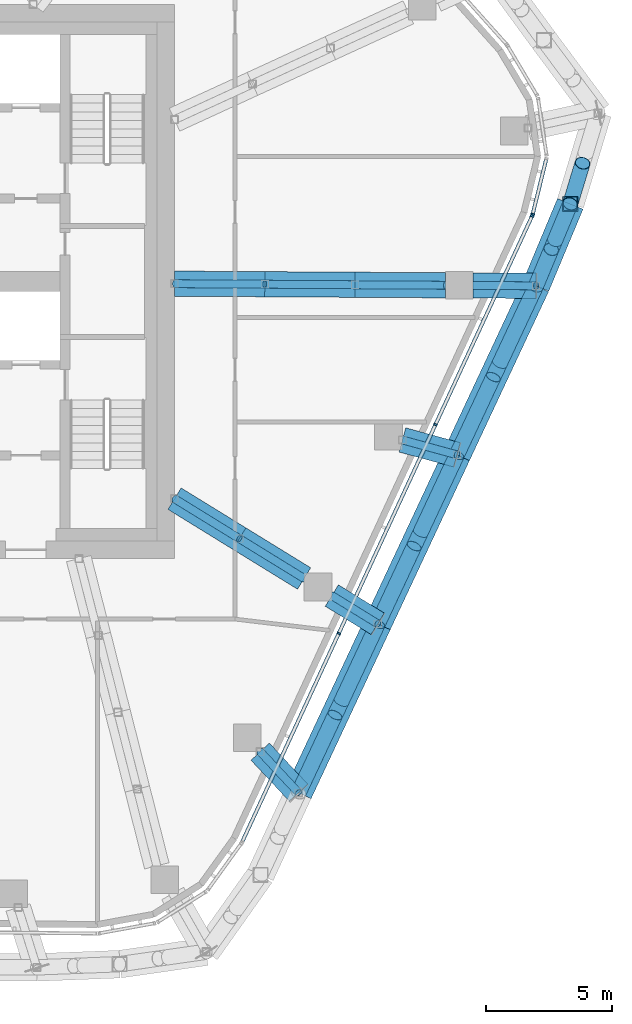
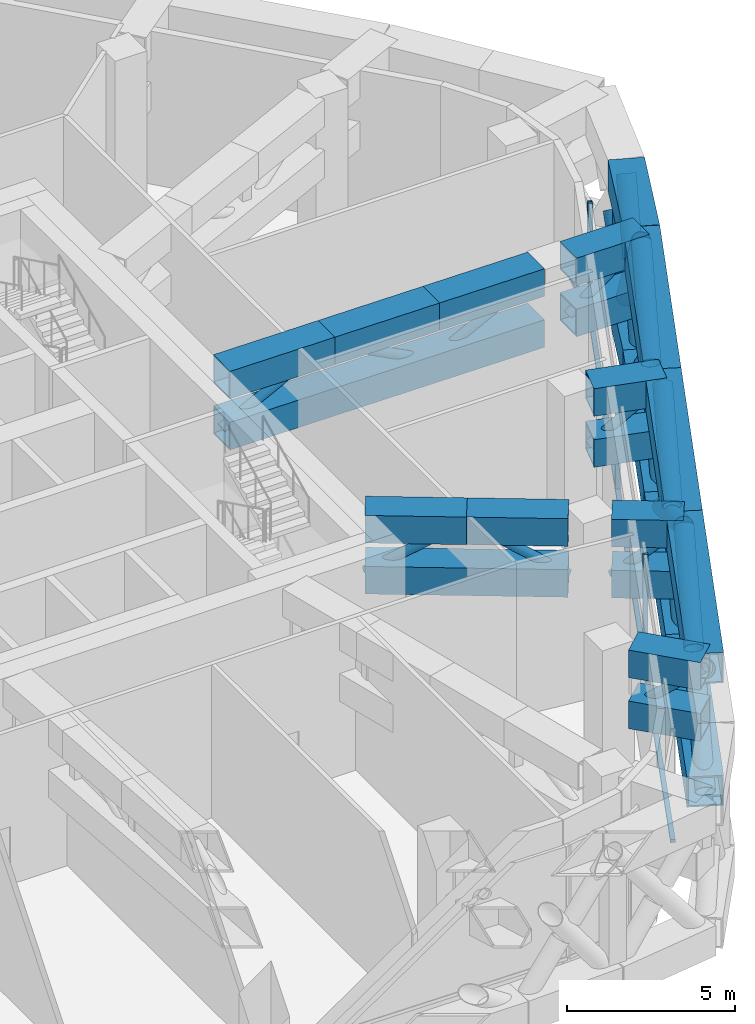
# One storey, part 5 of 31: 52 members, 2 elements without a shape of their own.
"""IFC4 building model written with IfcOpenShell, lengths in metres."""

from ifc_helpers import new_model, si_unit, direction, frame, origin, origin_2d, place, context, subcontext, project, spatial, rectangle, hollow_rectangle, hollow_circle, extrude, material, layer, layer_set, material_profile, profile_set, type_object, element, aggregate, save


model = new_model("IFC4")

# Units and contexts
model_context = context("Model", 3, precision=1e-05, world=origin(), true_north=direction((0.0, 1.0)))
body_context = subcontext(model_context, "Body", "Model", "MODEL_VIEW")
ifc_project = project(units=[si_unit("LENGTHUNIT", "METRE"), si_unit("AREAUNIT", "SQUARE_METRE"), si_unit("VOLUMEUNIT", "CUBIC_METRE"), si_unit("PLANEANGLEUNIT", "RADIAN"), si_unit("MASSUNIT", "GRAM", prefix="KILO")], contexts=[model_context])

# Site, building, storey
site_placement = place(None, origin())
site = spatial("IfcSite", under=ifc_project, at=site_placement, CompositionType="ELEMENT")
building_placement = place(site_placement, origin())
building = spatial("IfcBuilding", under=site, at=building_placement, Name="Dongbaek Canopy Tower", CompositionType="ELEMENT")
storey_placement = place(building_placement, frame((0.0, 0.0, 283.199951171875)))
storey = spatial("IfcBuildingStorey", under=building, at=storey_placement, Name="L60", CompositionType="ELEMENT", Elevation=283.199951171875)

# Members
ifc_material_1 = material(Name="Steel S355", Category="steel")
ifc_material_profile_1 = material_profile(ifc_material_1, hollow_circle(Radius=0.304931640625, WallThickness=0.01611328125, at=origin_2d()), Name="BELT BRACE CHS 610.0x16.0 Steel S355")
ifc_profile_set_1 = profile_set([ifc_material_profile_1], Name="Steel S355")
member_type_1 = type_object("IfcMemberType", Name="BELT BRACE CHS 610.0x16.0 Steel S355", PredefinedType="BRACE", material=ifc_profile_set_1)
member_1_placement = place(storey_placement, frame((28.35107421875, -0.17041015625, 0.550048828125), z_axis=(-0.363482290372, -0.776323582786, 0.514977979526), x_axis=(0.905646870558, -0.424032717899, 0.0)))
element("IfcMember", 1, at=member_1_placement, inside=storey, type_object=member_type_1, Name="BELT:L60:22:D0:0", PredefinedType="BRACE", context=body_context, shape_type="SweptSolid", body=[
    extrude(hollow_circle(Radius=0.304931640625, WallThickness=0.01611328125, at=origin_2d()), origin(), (0.0, 0.0, 1.0), 8.64111328125),
])
for number, where, z_axis, x_axis, name in (
    (2, (25.210205078125, -6.878662109375, 0.550048828125), (0.363470900766, 0.77632176169, 0.514988763589), (-0.905651591052, 0.424022635747, 0.0), "BELT:L60:22:D0:1"),
    (3, (28.35107421875, -0.17041015625, 5.0), (-0.363524202861, -0.776304430505, -0.514977266597), (0.905624075313, -0.424081400457, 0.0), "BELT:L60:22:D0:2"),
):
    element("IfcMember", number, at=place(storey_placement, frame(where, z_axis=z_axis, x_axis=x_axis)), inside=storey, type_object=member_type_1, Name=name, PredefinedType="BRACE", context=body_context, shape_type="SweptSolid", body=[
        extrude(hollow_circle(Radius=0.304931640625, WallThickness=0.01611328125, at=origin_2d()), origin(), (0.0, 0.0, 1.0), 3.97509765625),
    ])
member_2_placement = place(storey_placement, frame((25.210205078125, -6.878662109375, 0.550048828125), z_axis=(-0.36358952993, -0.776331867107, 0.514889780283), x_axis=(0.905600562789, -0.424131607731, 0.0)))
element("IfcMember", 4, at=member_2_placement, inside=storey, type_object=member_type_1, Name="BELT:L60:23:D0:0", PredefinedType="BRACE", context=body_context, shape_type="SweptSolid", body=[
    extrude(hollow_circle(Radius=0.304931640625, WallThickness=0.01611328125, at=origin_2d()), origin(), (0.0, 0.0, 1.0), 8.642578125),
])
for number, where, z_axis, x_axis, name in (
    (5, (22.06787109375, -13.588134765625, 0.550048828125), (0.363596127353, 0.776318568146, 0.51490517275), (-0.905594815999, 0.424143877989, 0.0), "BELT:L60:23:D0:1"),
    (6, (25.210205078125, -6.878662109375, 5.0), (-0.363596127353, -0.776318568146, -0.51490517275), (0.905594815999, -0.424143877989, 0.0), "BELT:L60:23:D0:2"),
):
    element("IfcMember", number, at=place(storey_placement, frame(where, z_axis=z_axis, x_axis=x_axis)), inside=storey, type_object=member_type_1, Name=name, PredefinedType="BRACE", context=body_context, shape_type="SweptSolid", body=[
        extrude(hollow_circle(Radius=0.304931640625, WallThickness=0.01611328125, at=origin_2d()), origin(), (0.0, 0.0, 1.0), 3.975830078125),
    ])
member_3_placement = place(storey_placement, frame((22.06787109375, -13.588134765625, 0.550048828125), z_axis=(-0.363710922449, -0.77624058608, 0.514941664088), x_axis=(0.905527002057, -0.424288638247, 0.0)))
element("IfcMember", 7, at=member_3_placement, inside=storey, type_object=member_type_1, Name="BELT:L60:24:D0:0", PredefinedType="BRACE", context=body_context, shape_type="SweptSolid", body=[
    extrude(hollow_circle(Radius=0.304931640625, WallThickness=0.01611328125, at=origin_2d()), origin(), (0.0, 0.0, 1.0), 8.6416015625),
])
for number, where, z_axis, x_axis, name in (
    (8, (18.9248046875, -20.296142578125, 0.550048828125), (0.363684087725, 0.77625242635, 0.514942768588), (-0.905541515257, 0.424257662449, 0.0), "BELT:L60:24:D0:1"),
    (9, (22.06787109375, -13.588134765625, 5.0), (-0.363684087725, -0.77625242635, -0.514942768588), (0.905541515257, -0.424257662449, 0.0), "BELT:L60:24:D0:2"),
):
    element("IfcMember", number, at=place(storey_placement, frame(where, z_axis=z_axis, x_axis=x_axis)), inside=storey, type_object=member_type_1, Name=name, PredefinedType="BRACE", context=body_context, shape_type="SweptSolid", body=[
        extrude(hollow_circle(Radius=0.304931640625, WallThickness=0.01611328125, at=origin_2d()), origin(), (0.0, 0.0, 1.0), 3.975341796875),
    ])
member_4_placement = place(storey_placement, frame((29.711181640625, 3.084716796875, 0.550048828125), z_axis=(0.187466515351, 0.619116824287, 0.762594691502), x_axis=(-0.957086442216, 0.289802591649, 0.0)))
element("IfcMember", 10, at=member_4_placement, inside=storey, type_object=member_type_1, Name="BELT:L60:21:D0:1", PredefinedType="BRACE", context=body_context, shape_type="SweptSolid", body=[
    extrude(hollow_circle(Radius=0.304931640625, WallThickness=0.01611328125, at=origin_2d()), origin(), (0.0, 0.0, 1.0), 2.608642578125),
])
member_5_placement = place(storey_placement, frame((29.711181640625, 3.084716796875, 0.550048828125), z_axis=(-0.239509698083, -0.5732153661, 0.783619326326), x_axis=(0.922693592895, -0.385534088804, 0.0)))
element("IfcMember", 11, at=member_5_placement, inside=storey, type_object=member_type_1, Name="BELT:L60:21:D1:0", PredefinedType="BRACE", context=body_context, shape_type="SweptSolid", body=[
    extrude(hollow_circle(Radius=0.304931640625, WallThickness=0.01611328125, at=origin_2d()), origin(), (0.0, 0.0, 1.0), 5.6787109375),
])
for number, where, z_axis, x_axis, name in (
    (12, (28.35107421875, -0.17041015625, 0.550048828125), (0.239493621935, 0.573218995842, 0.783621584604), (-0.922703666454, 0.385509979004, 0.0), "BELT:L60:21:D1:1"),
    (13, (29.711181640625, 3.084716796875, 5.0), (-0.239493621935, -0.573218995842, -0.783621584604), (0.922703666454, -0.385509979004, 0.0), "BELT:L60:21:D1:2"),
):
    element("IfcMember", number, at=place(storey_placement, frame(where, z_axis=z_axis, x_axis=x_axis)), inside=storey, type_object=member_type_1, Name=name, PredefinedType="BRACE", context=body_context, shape_type="SweptSolid", body=[
        extrude(hollow_circle(Radius=0.304931640625, WallThickness=0.01611328125, at=origin_2d()), origin(), (0.0, 0.0, 1.0), 2.526123046875),
    ])
ifc_material_2 = material(Name="Steel S355", Category="steel")
ifc_material_profile_2 = material_profile(ifc_material_2, hollow_rectangle(XDim=1.10009765625, YDim=1.10009765625, WallThickness=0.054931640625, at=origin_2d()), Name="BELT CHORD BOX 1100x1100x55 Steel S355")
ifc_profile_set_2 = profile_set([ifc_material_profile_2], Name="Steel S355")
member_type_2 = type_object("IfcMemberType", Name="BELT CHORD BOX 1100x1100x55 Steel S355", PredefinedType="CHORD", material=ifc_profile_set_2)
for number, where, z_axis, x_axis, name in (
    (14, (28.35107421875, -0.17041015625, 0.550048828125), (-0.424032717899, -0.905646870558, 0.0), (0.905646870558, -0.424032717899, 0.0), "BELT:L60:22:CB0"),
    (15, (28.35107421875, -0.17041015625, 5.0), (-0.424032717899, -0.905646870558, 0.0), (0.905646870558, -0.424032717899, 0.0), "BELT:L60:22:CT0"),
):
    element("IfcMember", number, at=place(storey_placement, frame(where, z_axis=z_axis, x_axis=x_axis)), inside=storey, type_object=member_type_2, Name=name, PredefinedType="CHORD", context=body_context, shape_type="SweptSolid", body=[
        extrude(hollow_rectangle(XDim=1.10009765625, YDim=1.10009765625, WallThickness=0.054931640625, at=origin_2d()), origin(), (0.0, 0.0, 1.0), 7.4072265625),
    ])
for number, where, z_axis, x_axis, name in (
    (16, (25.210205078125, -6.878662109375, 0.550048828125), (-0.424131607731, -0.905600562789, 0.0), (0.905600562789, -0.424131607731, 0.0), "BELT:L60:23:CB0"),
    (17, (25.210205078125, -6.878662109375, 5.0), (-0.424131607731, -0.905600562789, 0.0), (0.905600562789, -0.424131607731, 0.0), "BELT:L60:23:CT0"),
):
    element("IfcMember", number, at=place(storey_placement, frame(where, z_axis=z_axis, x_axis=x_axis)), inside=storey, type_object=member_type_2, Name=name, PredefinedType="CHORD", context=body_context, shape_type="SweptSolid", body=[
        extrude(hollow_rectangle(XDim=1.10009765625, YDim=1.10009765625, WallThickness=0.054931640625, at=origin_2d()), origin(), (0.0, 0.0, 1.0), 7.408935546875),
    ])
for number, where, z_axis, x_axis, name in (
    (18, (22.06787109375, -13.588134765625, 0.550048828125), (-0.424288638247, -0.905527002057, 0.0), (0.905527002057, -0.424288638247, 0.0), "BELT:L60:24:CB0"),
    (19, (22.06787109375, -13.588134765625, 5.0), (-0.424288638247, -0.905527002057, 0.0), (0.905527002057, -0.424288638247, 0.0), "BELT:L60:24:CT0"),
):
    element("IfcMember", number, at=place(storey_placement, frame(where, z_axis=z_axis, x_axis=x_axis)), inside=storey, type_object=member_type_2, Name=name, PredefinedType="CHORD", context=body_context, shape_type="SweptSolid", body=[
        extrude(hollow_rectangle(XDim=1.10009765625, YDim=1.10009765625, WallThickness=0.054931640625, at=origin_2d()), origin(), (0.0, 0.0, 1.0), 7.407958984375),
    ])
for number, where, z_axis, x_axis, name in (
    (20, (29.711181640625, 3.084716796875, 0.550048828125), (-0.385534088804, -0.922693592895, 0.0), (0.922693592895, -0.385534088804, 0.0), "BELT:L60:21:CB1"),
    (21, (29.711181640625, 3.084716796875, 5.0), (-0.385534088804, -0.922693592895, 0.0), (0.922693592895, -0.385534088804, 0.0), "BELT:L60:21:CT1"),
):
    element("IfcMember", number, at=place(storey_placement, frame(where, z_axis=z_axis, x_axis=x_axis)), inside=storey, type_object=member_type_2, Name=name, PredefinedType="CHORD", context=body_context, shape_type="SweptSolid", body=[
        extrude(hollow_rectangle(XDim=1.10009765625, YDim=1.10009765625, WallThickness=0.054931640625, at=origin_2d()), origin(), (0.0, 0.0, 1.0), 3.52783203125),
    ])
ifc_material_3 = material(Name="Steel S355", Category="steel")
ifc_material_profile_3 = material_profile(ifc_material_3, hollow_rectangle(XDim=0.60009765625, YDim=0.60009765625, WallThickness=0.031982421875, at=origin_2d()), Name="BELT POST BOX 600x600x32 Steel S355")
ifc_profile_set_3 = profile_set([ifc_material_profile_3], Name="Steel S355")
member_type_3 = type_object("IfcMemberType", Name="BELT POST BOX 600x600x32 Steel S355", PredefinedType="POST", material=ifc_profile_set_3)
member_6_placement = place(storey_placement, frame((29.711181640625, 3.084716796875, 1.10009765625), z_axis=(0.0, 0.0, 1.0), x_axis=(1.0, 0.0, 0.0)))
element("IfcMember", 22, at=member_6_placement, inside=storey, type_object=member_type_3, Name="BELT:L60:21:P1", PredefinedType="POST", context=body_context, shape_type="SweptSolid", body=[
    extrude(hollow_rectangle(XDim=0.60009765625, YDim=0.60009765625, WallThickness=0.031982421875, at=origin_2d()), origin(), (0.0, 0.0, 1.0), 3.349853515625),
])
ifc_material_4 = material(Name="Steel S355", Category="steel")
ifc_material_profile_4 = material_profile(ifc_material_4, hollow_circle(Radius=0.1591796875, WallThickness=0.01025390625, at=origin_2d()), Name="BRACE CHS 318.5x10.3 Steel S355")
ifc_profile_set_4 = profile_set([ifc_material_profile_4], Name="Steel S355")
member_type_4 = type_object("IfcMemberType", Name="BRACE CHS 318.5x10.3 Steel S355", PredefinedType="BRACE", material=ifc_profile_set_4)
member_7_placement = place(storey_placement, frame((23.049072265625, -6.2890625, 3.199951171875), z_axis=(0.743849228569, -0.202936724694, 0.636792753513), x_axis=(0.263200401601, 0.964741182182, 0.0)))
element("IfcMember", 23, at=member_7_placement, inside=storey, type_object=member_type_4, Name="TRUSS:L60:23:D0", PredefinedType="BRACE", context=body_context, shape_type="SweptSolid", body=[
    extrude(hollow_circle(Radius=0.1591796875, WallThickness=0.01025390625, at=origin_2d()), origin(), (0.0, 0.0, 1.0), 2.9052734375),
])
member_8_placement = place(storey_placement, frame((17.40283203125, -18.6640625, 3.199951171875), z_axis=(0.5250383486, -0.563022354891, 0.638232371783), x_axis=(0.731346245, 0.68200635622, 0.0)))
element("IfcMember", 24, at=member_8_placement, inside=storey, type_object=member_type_4, Name="TRUSS:L60:25:D0", PredefinedType="BRACE", context=body_context, shape_type="SweptSolid", body=[
    extrude(hollow_circle(Radius=0.1591796875, WallThickness=0.01025390625, at=origin_2d()), origin(), (0.0, 0.0, 1.0), 2.898681640625),
])
ifc_material_5 = material(Name="Steel S355", Category="steel")
ifc_material_profile_5 = material_profile(ifc_material_5, hollow_rectangle(XDim=1.0, YDim=1.0, WallThickness=0.050048828125, at=origin_2d()), Name="CHORD BOX 1000x1000x50 Steel S355")
ifc_profile_set_5 = profile_set([ifc_material_profile_5], Name="Steel S355")
member_type_5 = type_object("IfcMemberType", Name="CHORD BOX 1000x1000x50 Steel S355", PredefinedType="CHORD", material=ifc_profile_set_5)
for number, where, z_axis, x_axis, name in (
    (25, (23.049072265625, -6.2890625, 3.199951171875), (0.964741182182, -0.263200401601, 0.0), (0.263200401601, 0.964741182182, 0.0), "TRUSS:L60:23:CB"),
    (26, (23.049072265625, -6.2890625, 5.050048828125), (0.964741182182, -0.263200401601, 0.0), (0.263200401601, 0.964741182182, 0.0), "TRUSS:L60:23:CT0"),
):
    element("IfcMember", number, at=place(storey_placement, frame(where, z_axis=z_axis, x_axis=x_axis)), inside=storey, type_object=member_type_5, Name=name, PredefinedType="CHORD", context=body_context, shape_type="SweptSolid", body=[
        extrude(hollow_rectangle(XDim=1.0, YDim=1.0, WallThickness=0.050048828125, at=origin_2d()), origin(), (0.0, 0.0, 1.0), 2.240234375),
    ])
for number, where, z_axis, x_axis, name in (
    (27, (17.40283203125, -18.6640625, 3.199951171875), (0.68200635622, -0.731346245, 0.0), (0.731346245, 0.68200635622, 0.0), "TRUSS:L60:25:CB"),
    (28, (17.40283203125, -18.6640625, 5.050048828125), (0.68200635622, -0.731346245, 0.0), (0.731346245, 0.68200635622, 0.0), "TRUSS:L60:25:CT0"),
):
    element("IfcMember", number, at=place(storey_placement, frame(where, z_axis=z_axis, x_axis=x_axis)), inside=storey, type_object=member_type_5, Name=name, PredefinedType="CHORD", context=body_context, shape_type="SweptSolid", body=[
        extrude(hollow_rectangle(XDim=1.0, YDim=1.0, WallThickness=0.050048828125, at=origin_2d()), origin(), (0.0, 0.0, 1.0), 2.231689453125),
    ])

# Curtain wall, member
ifc_material_6 = material(Name="Aluminium 6063-T6 pale anodised", Category="aluminium")
ifc_layer = layer(ifc_material_6, 0.14990234375)
ifc_layer_set = layer_set([ifc_layer], Name="CW-7 louvre curtain wall")
curtain_wall_type = type_object("IfcCurtainWallType", Name="CW-7 louvre curtain wall", PredefinedType="NOTDEFINED", material=ifc_layer_set)
curtain_wall_1_placement = place(storey_placement, origin())
curtain_wall_1 = element("IfcCurtainWall", 29, at=curtain_wall_1_placement, inside=storey, type_object=curtain_wall_type, Name="CW-7 louvre wall L60 K0", PredefinedType="NOTDEFINED")
ifc_material_7 = material(Name="Aluminium 6063-T6 pale anodised", Category="aluminium")
ifc_material_profile_6 = material_profile(ifc_material_7, rectangle(XDim=0.14990234375, YDim=0.080078125, at=origin_2d()), Name="CW-7 mullion 80 x 150")
ifc_profile_set_6 = profile_set([ifc_material_profile_6], Name="Aluminium 6063-T6 pale anodised")
member_type_6 = type_object("IfcMemberType", Name="CW-7 mullion 80 x 150", PredefinedType="MULLION", material=ifc_profile_set_6)
member_9_placement = place(storey_placement, frame((28.219482421875, 2.668212890625, 0.775146484375), z_axis=(0.0, 0.0, 1.0), x_axis=(0.971372002514, -0.237563534097, 0.0)))
member_9 = element("IfcMember", 30, at=member_9_placement, type_object=member_type_6, Name="CW-7 mullion L60 K0.1.1", PredefinedType="MULLION", context=body_context, shape_type="SweptSolid", body=[
    extrude(rectangle(XDim=0.14990234375, YDim=0.080078125, at=origin_2d()), origin(), (0.0, 0.0, 1.0), 4.0),
])

# Curtain wall, members
curtain_wall_2_placement = place(storey_placement, origin())
curtain_wall_2 = element("IfcCurtainWall", 31, at=curtain_wall_2_placement, inside=storey, type_object=curtain_wall_type, Name="CW-7 louvre wall L60 F5", PredefinedType="NOTDEFINED")
member_10_placement = place(storey_placement, frame((20.521484375, -13.966796875, 0.775146484375), z_axis=(0.0, 0.0, 1.0), x_axis=(0.907385255392, -0.420299890907, 0.0)))
member_10 = element("IfcMember", 32, at=member_10_placement, type_object=member_type_6, Name="CW-7 mullion L60 F5.1.2", PredefinedType="MULLION", context=body_context, shape_type="SweptSolid", body=[
    extrude(rectangle(XDim=0.14990234375, YDim=0.080078125, at=origin_2d()), origin(), (0.0, 0.0, 1.0), 4.0),
])
member_11_placement = place(storey_placement, frame((24.359375, -5.681396484375, 0.775146484375), z_axis=(0.0, 0.0, 1.0), x_axis=(0.907385255392, -0.420299890907, 0.0)))
member_11 = element("IfcMember", 33, at=member_11_placement, type_object=member_type_6, Name="CW-7 mullion L60 F5.1.3", PredefinedType="MULLION", context=body_context, shape_type="SweptSolid", body=[
    extrude(rectangle(XDim=0.14990234375, YDim=0.080078125, at=origin_2d()), origin(), (0.0, 0.0, 1.0), 4.0),
])
member_12_placement = place(storey_placement, frame((28.197265625, 2.604248046875, 0.775146484375), z_axis=(0.0, 0.0, 1.0), x_axis=(0.907385255392, -0.420299890907, 0.0)))
member_12 = element("IfcMember", 34, at=member_12_placement, type_object=member_type_6, Name="CW-7 mullion L60 F5.1.4", PredefinedType="MULLION", context=body_context, shape_type="SweptSolid", body=[
    extrude(rectangle(XDim=0.14990234375, YDim=0.080078125, at=origin_2d()), origin(), (0.0, 0.0, 1.0), 4.0),
])

# Member
ifc_material_8 = material(Name="Aluminium 6063-T6 pale anodised", Category="aluminium")
ifc_material_profile_7 = material_profile(ifc_material_8, rectangle(XDim=0.14990234375, YDim=0.1201171875, at=origin_2d()), Name="CW-7 transom 120 x 150")
ifc_profile_set_7 = profile_set([ifc_material_profile_7], Name="Aluminium 6063-T6 pale anodised")
member_type_7 = type_object("IfcMemberType", Name="CW-7 transom 120 x 150", PredefinedType="USERDEFINED", material=ifc_profile_set_7)
member_13_placement = place(storey_placement, frame((28.219482421875, 2.668212890625, 0.715087890625), z_axis=(0.237625759149, 0.971356782335, 0.0), x_axis=(-0.971356782335, 0.237625759149, 0.0)))
member_13 = element("IfcMember", 35, at=member_13_placement, type_object=member_type_7, Name="CW-7 transom L60 K0.1", ObjectType="TRANSOM", PredefinedType="USERDEFINED", context=body_context, shape_type="SweptSolid", body=[
    extrude(rectangle(XDim=0.14990234375, YDim=0.1201171875, at=origin_2d()), origin(), (0.0, 0.0, 1.0), 2.282958984375),
])

aggregate(curtain_wall_1, [member_13, member_9])

member_14_placement = place(storey_placement, frame((16.68359375, -22.25244140625, 0.715087890625), z_axis=(0.420302283413, 0.907384147182, 0.0), x_axis=(-0.907384147182, 0.420302283413, 0.0)))
member_14 = element("IfcMember", 36, at=member_14_placement, type_object=member_type_7, Name="CW-7 transom L60 F5.1", ObjectType="TRANSOM", PredefinedType="USERDEFINED", context=body_context, shape_type="SweptSolid", body=[
    extrude(rectangle(XDim=0.14990234375, YDim=0.1201171875, at=origin_2d()), origin(), (0.0, 0.0, 1.0), 27.393798828125),
])

aggregate(curtain_wall_2, [member_14, member_10, member_11, member_12])

# Members
ifc_material_9 = material(Name="Steel S355", Category="steel")
ifc_material_profile_8 = material_profile(ifc_material_9, hollow_circle(Radius=0.1591796875, WallThickness=0.01025390625, at=origin_2d()), Name="OUTRIGGER BRACE CHS 318.5x10.3 Steel S355")
ifc_profile_set_8 = profile_set([ifc_material_profile_8], Name="Steel S355")
member_type_8 = type_object("IfcMemberType", Name="OUTRIGGER BRACE CHS 318.5x10.3 Steel S355", PredefinedType="BRACE", material=ifc_profile_set_8)
for number, where, z_axis, x_axis, name in (
    (37, (14.0, -0.083984375, 3.199951171875), (0.888577520483, -0.005387152542, 0.458694853557), (0.006062558883, 0.999981622521, 0.0), "TRUSS:L60:22:D0"),
    (38, (17.583984375, -0.105712890625, 5.050048828125), (0.888577808606, -0.005326624466, -0.45869500229), (0.005994442706, 0.999982033167, 0.0), "TRUSS:L60:22:D1"),
    (39, (21.16796875, -0.127197265625, 3.199951171875), (0.888577808606, -0.005326624466, 0.45869500229), (0.005994442706, 0.999982033167, 0.0), "TRUSS:L60:22:D2"),
):
    element("IfcMember", number, at=place(storey_placement, frame(where, z_axis=z_axis, x_axis=x_axis)), inside=storey, type_object=member_type_8, Name=name, PredefinedType="BRACE", context=body_context, shape_type="SweptSolid", body=[
        extrude(hollow_circle(Radius=0.1591796875, WallThickness=0.01025390625, at=origin_2d()), origin(), (0.0, 0.0, 1.0), 4.033447265625),
    ])
member_15_placement = place(storey_placement, frame((25.85205078125, -0.1552734375, 3.199951171875), z_axis=(0.803706208526, -0.004868091533, 0.595006413463), x_axis=(0.006056942429, 0.999981656556, 0.0)))
element("IfcMember", 40, at=member_15_placement, inside=storey, type_object=member_type_8, Name="TRUSS:L60:22s:D0", PredefinedType="BRACE", context=body_context, shape_type="SweptSolid", body=[
    extrude(hollow_circle(Radius=0.1591796875, WallThickness=0.01025390625, at=origin_2d()), origin(), (0.0, 0.0, 1.0), 3.109375),
])
for number, where, z_axis, x_axis, name in (
    (41, (14.0, -8.620361328125, 3.199951171875), (0.726174181926, -0.447130880928, 0.522249971589), (0.524313834598, 0.851525104063, 0.0), "TRUSS:L60:24:D0"),
    (42, (16.572509765625, -10.204345703125, 5.050048828125), (0.726174181926, -0.447130880928, -0.522249971589), (0.524313834598, 0.851525104063, 0.0), "TRUSS:L60:24:D1"),
):
    element("IfcMember", number, at=place(storey_placement, frame(where, z_axis=z_axis, x_axis=x_axis)), inside=storey, type_object=member_type_8, Name=name, PredefinedType="BRACE", context=body_context, shape_type="SweptSolid", body=[
        extrude(hollow_circle(Radius=0.1591796875, WallThickness=0.01025390625, at=origin_2d()), origin(), (0.0, 0.0, 1.0), 3.54248046875),
    ])
member_16_placement = place(storey_placement, frame((20.2451171875, -12.4658203125, 3.199951171875), z_axis=(0.644244243623, -0.396677040977, 0.653908770182), x_axis=(0.524307406621, 0.85152906196, 0.0)))
element("IfcMember", 43, at=member_16_placement, inside=storey, type_object=member_type_8, Name="TRUSS:L60:24s:D0", PredefinedType="BRACE", context=body_context, shape_type="SweptSolid", body=[
    extrude(hollow_circle(Radius=0.1591796875, WallThickness=0.01025390625, at=origin_2d()), origin(), (0.0, 0.0, 1.0), 2.829345703125),
])
ifc_material_10 = material(Name="Steel S355", Category="steel")
ifc_material_profile_9 = material_profile(ifc_material_10, hollow_rectangle(XDim=1.0, YDim=1.0, WallThickness=0.050048828125, at=origin_2d()), Name="OUTRIGGER CHORD BOX 1000x1000x50 Steel S355")
ifc_profile_set_9 = profile_set([ifc_material_profile_9], Name="Steel S355")
member_type_9 = type_object("IfcMemberType", Name="OUTRIGGER CHORD BOX 1000x1000x50 Steel S355", PredefinedType="CHORD", material=ifc_profile_set_9)
member_17_placement = place(storey_placement, frame((14.0, -0.083984375, 3.199951171875), z_axis=(0.9999818968, -0.006017148107, 0.0), x_axis=(0.006017148107, 0.9999818968, 0.0)))
element("IfcMember", 44, at=member_17_placement, inside=storey, type_object=member_type_9, Name="TRUSS:L60:22:CB", PredefinedType="CHORD", context=body_context, shape_type="SweptSolid", body=[
    extrude(hollow_rectangle(XDim=1.0, YDim=1.0, WallThickness=0.050048828125, at=origin_2d()), origin(), (0.0, 0.0, 1.0), 10.752197265625),
])
for number, where, z_axis, x_axis, name in (
    (45, (14.0, -0.083984375, 5.050048828125), (0.999981622521, -0.006062558883, 0.0), (0.006062558883, 0.999981622521, 0.0), "TRUSS:L60:22:CT0"),
    (46, (17.583984375, -0.105712890625, 5.050048828125), (0.999982033167, -0.005994442706, 0.0), (0.005994442706, 0.999982033167, 0.0), "TRUSS:L60:22:CT1"),
    (47, (21.16796875, -0.127197265625, 5.050048828125), (0.999982033167, -0.005994442706, 0.0), (0.005994442706, 0.999982033167, 0.0), "TRUSS:L60:22:CT2"),
):
    element("IfcMember", number, at=place(storey_placement, frame(where, z_axis=z_axis, x_axis=x_axis)), inside=storey, type_object=member_type_9, Name=name, PredefinedType="CHORD", context=body_context, shape_type="SweptSolid", body=[
        extrude(hollow_rectangle(XDim=1.0, YDim=1.0, WallThickness=0.050048828125, at=origin_2d()), origin(), (0.0, 0.0, 1.0), 3.583984375),
    ])
for number, where, z_axis, x_axis, name in (
    (48, (25.85205078125, -0.1552734375, 3.199951171875), (0.999981656556, -0.006056942429, 0.0), (0.006056942429, 0.999981656556, 0.0), "TRUSS:L60:22s:CB"),
    (49, (25.85205078125, -0.1552734375, 5.050048828125), (0.999981656556, -0.006056942429, 0.0), (0.006056942429, 0.999981656556, 0.0), "TRUSS:L60:22s:CT0"),
):
    element("IfcMember", number, at=place(storey_placement, frame(where, z_axis=z_axis, x_axis=x_axis)), inside=storey, type_object=member_type_9, Name=name, PredefinedType="CHORD", context=body_context, shape_type="SweptSolid", body=[
        extrude(hollow_rectangle(XDim=1.0, YDim=1.0, WallThickness=0.050048828125, at=origin_2d()), origin(), (0.0, 0.0, 1.0), 2.4990234375),
    ])
member_18_placement = place(storey_placement, frame((14.0, -8.620361328125, 3.199951171875), z_axis=(0.851525104063, -0.524313834598, 0.0), x_axis=(0.524313834598, 0.851525104063, 0.0)))
element("IfcMember", 50, at=member_18_placement, inside=storey, type_object=member_type_9, Name="TRUSS:L60:24:CB", PredefinedType="CHORD", context=body_context, shape_type="SweptSolid", body=[
    extrude(hollow_rectangle(XDim=1.0, YDim=1.0, WallThickness=0.050048828125, at=origin_2d()), origin(), (0.0, 0.0, 1.0), 6.042236328125),
])
for number, where, z_axis, x_axis, name in (
    (51, (14.0, -8.620361328125, 5.050048828125), (0.851525104063, -0.524313834598, 0.0), (0.524313834598, 0.851525104063, 0.0), "TRUSS:L60:24:CT0"),
    (52, (16.572509765625, -10.204345703125, 5.050048828125), (0.851525104063, -0.524313834598, 0.0), (0.524313834598, 0.851525104063, 0.0), "TRUSS:L60:24:CT1"),
):
    element("IfcMember", number, at=place(storey_placement, frame(where, z_axis=z_axis, x_axis=x_axis)), inside=storey, type_object=member_type_9, Name=name, PredefinedType="CHORD", context=body_context, shape_type="SweptSolid", body=[
        extrude(hollow_rectangle(XDim=1.0, YDim=1.0, WallThickness=0.050048828125, at=origin_2d()), origin(), (0.0, 0.0, 1.0), 3.02099609375),
    ])
for number, where, z_axis, x_axis, name in (
    (53, (20.2451171875, -12.4658203125, 3.199951171875), (0.85152906196, -0.524307406621, 0.0), (0.524307406621, 0.85152906196, 0.0), "TRUSS:L60:24s:CB"),
    (54, (20.2451171875, -12.4658203125, 5.050048828125), (0.85152906196, -0.524307406621, 0.0), (0.524307406621, 0.85152906196, 0.0), "TRUSS:L60:24s:CT0"),
):
    element("IfcMember", number, at=place(storey_placement, frame(where, z_axis=z_axis, x_axis=x_axis)), inside=storey, type_object=member_type_9, Name=name, PredefinedType="CHORD", context=body_context, shape_type="SweptSolid", body=[
        extrude(hollow_rectangle(XDim=1.0, YDim=1.0, WallThickness=0.050048828125, at=origin_2d()), origin(), (0.0, 0.0, 1.0), 2.140625),
    ])

save(model, "model.ifc")
